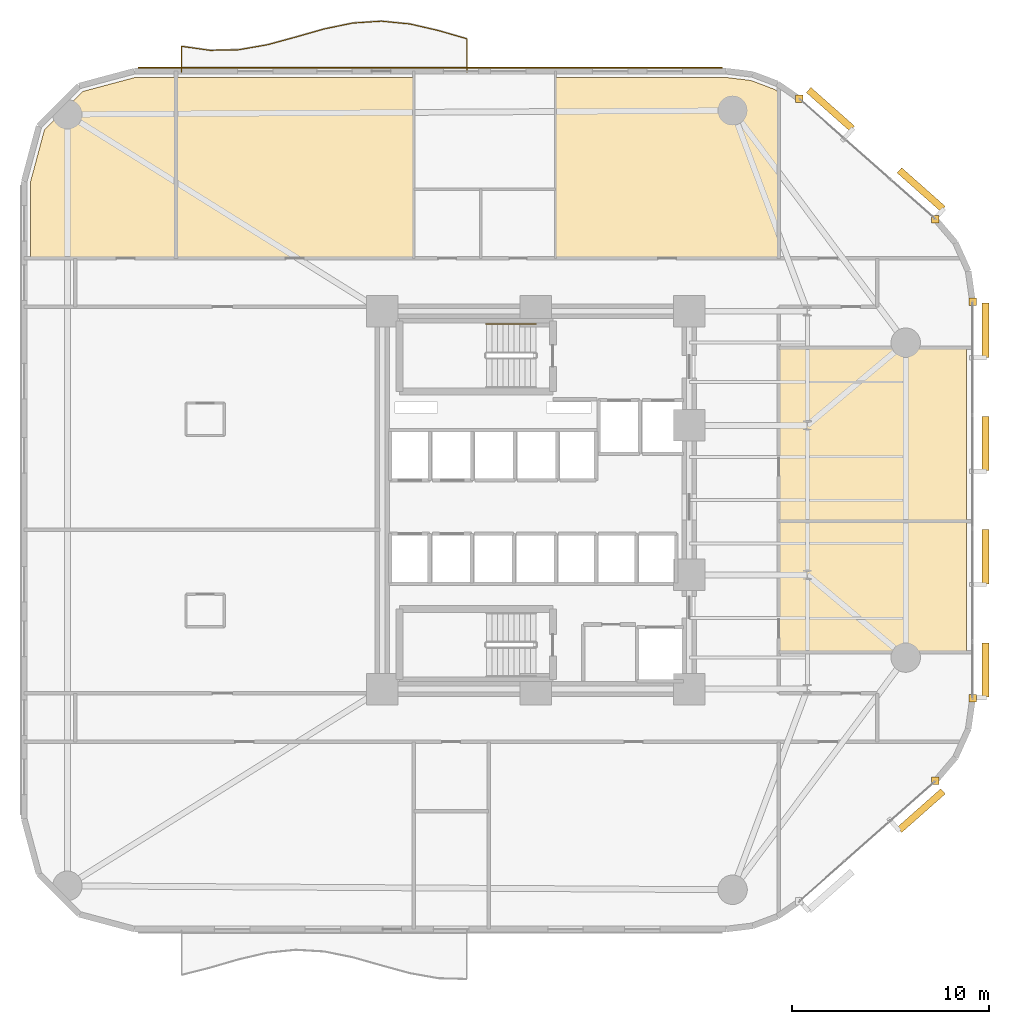
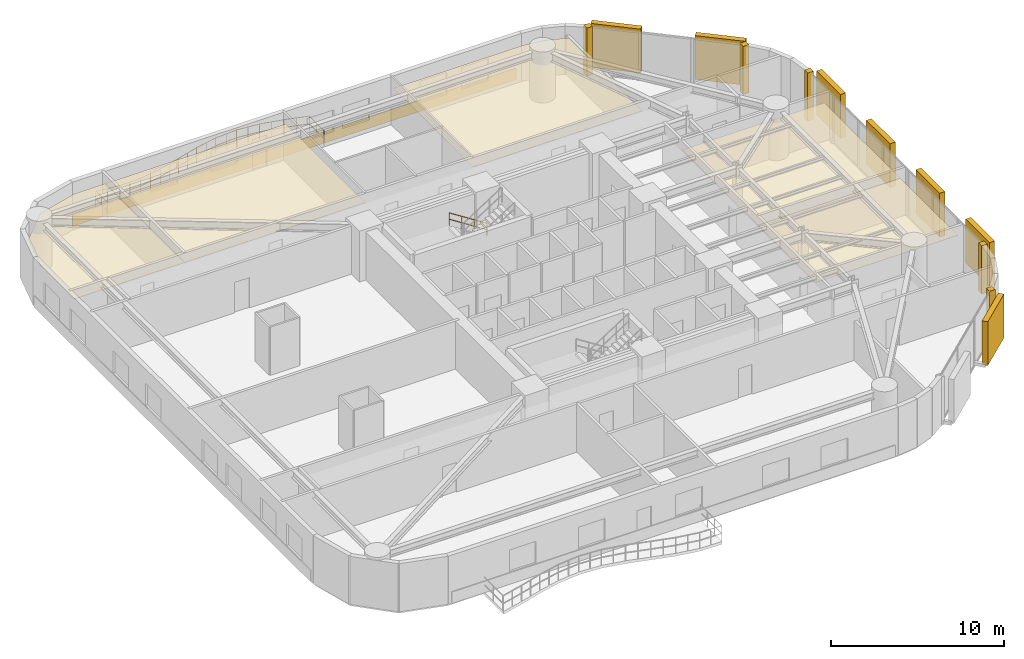
# One storey, part 16 of 16: 11 coverings, 7 shading devices, 2 railings.
"""IFC4 building model written with IfcOpenShell, lengths in metres."""

from ifc_helpers import new_model, si_unit, direction, frame, origin, origin_2d, place, context, subcontext, project, spatial, polyline, rectangle, circle, outline, extrude, material, layer, layer_set, type_object, element, save


model = new_model("IFC4")

# Units and contexts
model_context = context("Model", 3, precision=1e-05, world=origin(), true_north=direction((0.0, 1.0)))
body_context = subcontext(model_context, "Body", "Model", "MODEL_VIEW")
ifc_project = project(units=[si_unit("LENGTHUNIT", "METRE"), si_unit("AREAUNIT", "SQUARE_METRE"), si_unit("VOLUMEUNIT", "CUBIC_METRE"), si_unit("PLANEANGLEUNIT", "RADIAN"), si_unit("MASSUNIT", "GRAM", prefix="KILO")], contexts=[model_context])

# Site, building, storey
site_placement = place(None, origin())
site = spatial("IfcSite", under=ifc_project, at=site_placement, CompositionType="ELEMENT")
building_placement = place(site_placement, origin())
building = spatial("IfcBuilding", under=site, at=building_placement, Name="An Khanh Terracotta Commons", CompositionType="ELEMENT")
storey_placement = place(building_placement, frame((0.0, 0.0, 43.199951171875)))
storey = spatial("IfcBuildingStorey", under=building, at=storey_placement, Name="L11", CompositionType="ELEMENT", Elevation=43.199951171875)

# Coverings
ifc_material_1 = material(Name="Perforated Mineral-Fibre Acoustic Tile")
ifc_layer_1 = layer(ifc_material_1, 0.02001953125, Name="Perforated Mineral-Fibre Acoustic Tile")
ifc_layer_set_1 = layer_set([ifc_layer_1], Name="Perforated Mineral-Fibre Acoustic Tile")
covering_type_1 = type_object("IfcCoveringType", Name="CEIL-ACOUSTIC-18", PredefinedType="CEILING", material=ifc_layer_set_1)
covering_1_placement = place(storey_placement, frame((0.0, 0.0, 2.650146484375)))
element("IfcCovering", 1, at=covering_1_placement, inside=storey, type_object=covering_type_1, Name="L11 Collaborative Study Lounge Ceiling", PredefinedType="CEILING", context=body_context, shape_type="SweptSolid", body=[
    extrude(outline(polyline([(51.280029296875, 16.258056640625), (41.75, 16.258056640625), (41.75, 22.931884765625), (51.280029296875, 22.931884765625), (51.280029296875, 16.258056640625)])), origin(), (0.0, 0.0, 1.0), 0.02001953125),
])
covering_2_placement = place(storey_placement, frame((0.0, 0.0, 2.650146484375)))
element("IfcCovering", 2, at=covering_2_placement, inside=storey, type_object=covering_type_1, Name="L11 Collaborative Study Lounge Ceiling", PredefinedType="CEILING", context=body_context, shape_type="SweptSolid", body=[
    extrude(outline(polyline([(51.280029296875, 22.931884765625), (41.75, 22.931884765625), (41.75, 31.741943359375), (51.280029296875, 31.741943359375), (51.280029296875, 22.931884765625)])), origin(), (0.0, 0.0, 1.0), 0.02001953125),
])
covering_3_placement = place(storey_placement, frame((0.0, 0.0, 2.650146484375)))
element("IfcCovering", 3, at=covering_3_placement, inside=storey, type_object=covering_type_1, Name="L11 Collaborative Study Lounge Ceiling", PredefinedType="CEILING", context=body_context, shape_type="SweptSolid", body=[
    extrude(outline(polyline([(9.0419921875, 45.47998046875), (11.116943359375, 45.47998046875), (11.116943359375, 36.280029296875), (6.0, 36.280029296875), (3.719970703125, 36.280029296875), (3.719970703125, 40.157958984375), (4.43701171875, 42.833984375), (6.365966796875, 44.762939453125), (9.0419921875, 45.47998046875)])), origin(), (0.0, 0.0, 1.0), 0.02001953125),
])
covering_4_placement = place(storey_placement, frame((0.0, 0.0, 2.650146484375)))
element("IfcCovering", 4, at=covering_4_placement, inside=storey, type_object=covering_type_1, Name="L11 Collaborative Study Lounge Ceiling", PredefinedType="CEILING", context=body_context, shape_type="SweptSolid", body=[
    extrude(outline(polyline([(23.199951171875, 45.47998046875), (23.199951171875, 39.800048828125), (23.199951171875, 36.280029296875), (11.116943359375, 36.280029296875), (11.116943359375, 45.47998046875), (23.199951171875, 45.47998046875)])), origin(), (0.0, 0.0, 1.0), 0.02001953125),
])
covering_5_placement = place(storey_placement, frame((0.0, 0.0, 2.650146484375)))
element("IfcCovering", 5, at=covering_5_placement, inside=storey, type_object=covering_type_1, Name="L11 Collaborative Study Lounge Ceiling", PredefinedType="CEILING", context=body_context, shape_type="SweptSolid", body=[
    extrude(outline(polyline([(39.06005859375, 45.47998046875), (40.340087890625, 45.324951171875), (41.529052734375, 44.875), (41.75, 44.721923828125), (41.75, 36.280029296875), (37.5, 36.280029296875), (30.39990234375, 36.280029296875), (30.39990234375, 39.800048828125), (30.39990234375, 45.47998046875), (39.06005859375, 45.47998046875)])), origin(), (0.0, 0.0, 1.0), 0.02001953125),
])
ifc_material_2 = material(Name="Fired Terracotta Rainscreen Cladding", Category="masonry")
ifc_layer_2 = layer(ifc_material_2, 0.080078125, Name="Fired Terracotta Rainscreen Cladding")
ifc_layer_set_2 = layer_set([ifc_layer_2], Name="Fired Terracotta Rainscreen Cladding")
covering_type_2 = type_object("IfcCoveringType", Name="COV-JAMB-TERRA", PredefinedType="CLADDING", material=ifc_layer_set_2)
for number, where, z_axis, x_axis, name in (
    (6, (49.7099609375, 9.72802734375, 0.0), (0.0, 0.0, 1.0), (1.0, 0.0, 0.0), "L11 CW-02 Curtain-Wall Jamb Closure JB"),
    (7, (51.60009765625, 13.923095703125, 0.0), (0.0, 0.0, 1.0), (1.0, 0.0, 0.0), "L11 CW-02 Curtain-Wall Jamb Closure JA"),
    (8, (51.60009765625, 34.076904296875, 0.0), (0.0, 0.0, 1.0), (1.0, 0.0, 0.0), "L11 CW-02 Curtain-Wall Jamb Closure JB"),
    (9, (49.7099609375, 38.27197265625, 0.0), (0.0, 0.0, 1.0), (1.0, 0.0, 0.0), "L11 CW-02 Curtain-Wall Jamb Closure JA"),
    (10, (42.7890625, 44.39404296875, 0.0), (0.0, 0.0, 1.0), (1.0, 0.0, 0.0), "L11 CW-02 Curtain-Wall Jamb Closure JB"),
):
    element("IfcCovering", number, at=place(storey_placement, frame(where, z_axis=z_axis, x_axis=x_axis)), inside=storey, type_object=covering_type_2, Name=name, PredefinedType="CLADDING", context=body_context, shape_type="SweptSolid", body=[
        extrude(rectangle(XDim=0.3798828125, YDim=0.3798828125, at=origin_2d()), origin(), (0.0, 0.0, 1.0), 3.39990234375),
    ])
ifc_layer_3 = layer(ifc_material_2, 0.06005859375, Name="Fired Terracotta Rainscreen Cladding")
ifc_layer_set_3 = layer_set([ifc_layer_3], Name="Fired Terracotta Rainscreen Cladding")
covering_type_3 = type_object("IfcCoveringType", Name="COV-SPANDREL-TERRA", PredefinedType="CLADDING", material=ifc_layer_set_3)
covering_6_placement = place(storey_placement, frame((24.0400390625, 45.97998046875, 0.02001953125), z_axis=(0.0, 0.0, 1.0), x_axis=(-1.0, 0.0, 0.0)))
element("IfcCovering", 11, at=covering_6_placement, inside=storey, type_object=covering_type_3, Name="L11 Terracotta Spandrel Cladding 20", PredefinedType="CLADDING", context=body_context, shape_type="SweptSolid", body=[
    extrude(rectangle(XDim=29.678955078125, YDim=0.06005859375, at=origin_2d()), origin(), (0.0, 0.0, 1.0), 0.800048828125),
])

# Railings
ifc_material_3 = material(Name="Brushed Stainless Steel 316", Category="steel")
railing_type_1 = type_object("IfcRailingType", Name="RAIL-BALUSTRADE-1100", PredefinedType="BALUSTRADE", material=ifc_material_3)
railing_1_placement = place(storey_placement, frame((25.89990234375, 45.739990234375, 0.0)))
element("IfcRailing", 12, at=railing_1_placement, inside=storey, type_object=railing_type_1, Name="L11 N Wave Balcony Guard Balustrade", PredefinedType="BALUSTRADE", context=body_context, shape_type="SweptSolid", body=[
    extrude(circle(Radius=0.02392578125, at=origin_2d()), frame((0.0, 0.0, 1.076171875), z_axis=(0.0, 1.0, 0.0), x_axis=(-1.0, 0.0, 0.0)), (0.0, 0.0, 1.0), 1.7041015625),
    extrude(circle(Radius=0.02392578125, at=origin_2d()), frame((0.0, 0.0, 0.52587890625), z_axis=(0.0, 1.0, 0.0), x_axis=(-1.0, 0.0, 0.0)), (0.0, 0.0, 1.0), 1.7041015625),
    extrude(circle(Radius=0.02392578125, at=origin_2d()), frame((0.0, 1.7041015625, 1.076171875), z_axis=(-0.960701721664, 0.277582784034, 0.0), x_axis=(-0.277582784034, -0.960701721664, 0.0)), (0.0, 0.0, 1.0), 1.50927734375),
    extrude(circle(Radius=0.02392578125, at=origin_2d()), frame((0.0, 1.7041015625, 0.52587890625), z_axis=(-0.960701721664, 0.277582784034, 0.0), x_axis=(-0.277582784034, -0.960701721664, 0.0)), (0.0, 0.0, 1.0), 1.50927734375),
    extrude(circle(Radius=0.02392578125, at=origin_2d()), frame((-1.449951171875, 2.123046875, 1.076171875), z_axis=(-0.974482374478, 0.224464032377, 0.0), x_axis=(-0.224464032377, -0.974482374478, 0.0)), (0.0, 0.0, 1.0), 1.488037109375),
    extrude(circle(Radius=0.02392578125, at=origin_2d()), frame((-1.449951171875, 2.123046875, 0.52587890625), z_axis=(-0.974482374478, 0.224464032377, 0.0), x_axis=(-0.224464032377, -0.974482374478, 0.0)), (0.0, 0.0, 1.0), 1.488037109375),
    extrude(circle(Radius=0.02392578125, at=origin_2d()), frame((-2.89990234375, 2.45703125, 1.076171875), z_axis=(-0.995232672136, 0.097529115202, 0.0), x_axis=(-0.097529115202, -0.995232672136, 0.0)), (0.0, 0.0, 1.0), 1.456787109375),
    extrude(circle(Radius=0.02392578125, at=origin_2d()), frame((-2.89990234375, 2.45703125, 0.52587890625), z_axis=(-0.995232672136, 0.097529115202, 0.0), x_axis=(-0.097529115202, -0.995232672136, 0.0)), (0.0, 0.0, 1.0), 1.456787109375),
    extrude(circle(Radius=0.02392578125, at=origin_2d()), frame((-4.349853515625, 2.59912109375, 1.076171875), z_axis=(-0.997850830093, -0.065526489937, 0.0), x_axis=(0.065526489937, -0.997850830093, 0.0)), (0.0, 0.0, 1.0), 1.453125),
    extrude(circle(Radius=0.02392578125, at=origin_2d()), frame((-4.349853515625, 2.59912109375, 0.52587890625), z_axis=(-0.997850830093, -0.065526489937, 0.0), x_axis=(0.065526489937, -0.997850830093, 0.0)), (0.0, 0.0, 1.0), 1.453125),
    extrude(circle(Radius=0.02392578125, at=origin_2d()), frame((-5.7998046875, 2.50390625, 1.076171875), z_axis=(-0.979291989306, -0.202452956712, 0.0), x_axis=(0.202452956712, -0.979291989306, 0.0)), (0.0, 0.0, 1.0), 1.48095703125),
    extrude(circle(Radius=0.02392578125, at=origin_2d()), frame((-5.7998046875, 2.50390625, 0.52587890625), z_axis=(-0.979291989306, -0.202452956712, 0.0), x_axis=(0.202452956712, -0.979291989306, 0.0)), (0.0, 0.0, 1.0), 1.48095703125),
    extrude(circle(Radius=0.02392578125, at=origin_2d()), frame((-7.25, 2.2041015625, 1.076171875), z_axis=(-0.961731438212, -0.27399386992, 0.0), x_axis=(0.27399386992, -0.961731438212, 0.0)), (0.0, 0.0, 1.0), 1.507568359375),
    extrude(circle(Radius=0.02392578125, at=origin_2d()), frame((-7.25, 2.2041015625, 0.52587890625), z_axis=(-0.961731438212, -0.27399386992, 0.0), x_axis=(0.27399386992, -0.961731438212, 0.0)), (0.0, 0.0, 1.0), 1.507568359375),
    extrude(circle(Radius=0.02392578125, at=origin_2d()), frame((-8.699951171875, 1.791015625, 1.076171875), z_axis=(-0.964999660908, -0.262251128592, 0.0), x_axis=(0.262251128592, -0.964999660908, 0.0)), (0.0, 0.0, 1.0), 1.50244140625),
    extrude(circle(Radius=0.02392578125, at=origin_2d()), frame((-8.699951171875, 1.791015625, 0.52587890625), z_axis=(-0.964999660908, -0.262251128592, 0.0), x_axis=(0.262251128592, -0.964999660908, 0.0)), (0.0, 0.0, 1.0), 1.50244140625),
    extrude(circle(Radius=0.02392578125, at=origin_2d()), frame((-10.14990234375, 1.39697265625, 1.076171875), z_axis=(-0.985347824939, -0.170556922721, 0.0), x_axis=(0.170556922721, -0.985347824939, 0.0)), (0.0, 0.0, 1.0), 1.471435546875),
    extrude(circle(Radius=0.02392578125, at=origin_2d()), frame((-10.14990234375, 1.39697265625, 0.52587890625), z_axis=(-0.985347824939, -0.170556922721, 0.0), x_axis=(0.170556922721, -0.985347824939, 0.0)), (0.0, 0.0, 1.0), 1.471435546875),
    extrude(circle(Radius=0.02392578125, at=origin_2d()), frame((-11.599853515625, 1.14599609375, 1.076171875), z_axis=(-0.999799318874, -0.020033022217, 0.0), x_axis=(0.020033022217, -0.999799318874, 0.0)), (0.0, 0.0, 1.0), 1.4501953125),
    extrude(circle(Radius=0.02392578125, at=origin_2d()), frame((-11.599853515625, 1.14599609375, 0.52587890625), z_axis=(-0.999799318874, -0.020033022217, 0.0), x_axis=(0.020033022217, -0.999799318874, 0.0)), (0.0, 0.0, 1.0), 1.4501953125),
    extrude(circle(Radius=0.02392578125, at=origin_2d()), frame((-13.0498046875, 1.116943359375, 1.076171875), z_axis=(-0.990332587523, 0.138713251316, 0.0), x_axis=(-0.138713251316, -0.990332587523, 0.0)), (0.0, 0.0, 1.0), 1.46435546875),
    extrude(circle(Radius=0.02392578125, at=origin_2d()), frame((-13.0498046875, 1.116943359375, 0.52587890625), z_axis=(-0.990332587523, 0.138713251316, 0.0), x_axis=(-0.138713251316, -0.990332587523, 0.0)), (0.0, 0.0, 1.0), 1.46435546875),
    extrude(circle(Radius=0.02392578125, at=origin_2d()), frame((-14.5, 1.320068359375, 1.076171875), z_axis=(0.0, -1.0, 0.0), x_axis=(1.0, 0.0, 0.0)), (0.0, 0.0, 1.0), 1.320068359375),
    extrude(circle(Radius=0.02392578125, at=origin_2d()), frame((-14.5, 1.320068359375, 0.52587890625), z_axis=(0.0, -1.0, 0.0), x_axis=(1.0, 0.0, 0.0)), (0.0, 0.0, 1.0), 1.320068359375),
    extrude(circle(Radius=0.02099609375, at=origin_2d()), origin(), (0.0, 0.0, 1.0), 1.052001953125),
    extrude(circle(Radius=0.02099609375, at=origin_2d()), frame((0.0, 0.85205078125, 0.0)), (0.0, 0.0, 1.0), 1.052001953125),
    extrude(circle(Radius=0.02099609375, at=origin_2d()), frame((0.0, 1.7041015625, 0.0)), (0.0, 0.0, 1.0), 1.052001953125),
    extrude(circle(Radius=0.02099609375, at=origin_2d()), frame((-0.72509765625, 1.91357421875, 0.0)), (0.0, 0.0, 1.0), 1.052001953125),
    extrude(circle(Radius=0.02099609375, at=origin_2d()), frame((-1.449951171875, 2.123046875, 0.0)), (0.0, 0.0, 1.0), 1.052001953125),
    extrude(circle(Radius=0.02099609375, at=origin_2d()), frame((-2.1748046875, 2.2900390625, 0.0)), (0.0, 0.0, 1.0), 1.052001953125),
    extrude(circle(Radius=0.02099609375, at=origin_2d()), frame((-2.89990234375, 2.45703125, 0.0)), (0.0, 0.0, 1.0), 1.052001953125),
    extrude(circle(Radius=0.02099609375, at=origin_2d()), frame((-3.625, 2.528076171875, 0.0)), (0.0, 0.0, 1.0), 1.052001953125),
    extrude(circle(Radius=0.02099609375, at=origin_2d()), frame((-4.349853515625, 2.59912109375, 0.0)), (0.0, 0.0, 1.0), 1.052001953125),
    extrude(circle(Radius=0.02099609375, at=origin_2d()), frame((-5.07470703125, 2.551513671875, 0.0)), (0.0, 0.0, 1.0), 1.052001953125),
    extrude(circle(Radius=0.02099609375, at=origin_2d()), frame((-5.7998046875, 2.50390625, 0.0)), (0.0, 0.0, 1.0), 1.052001953125),
    extrude(circle(Radius=0.02099609375, at=origin_2d()), frame((-6.52490234375, 2.35400390625, 0.0)), (0.0, 0.0, 1.0), 1.052001953125),
    extrude(circle(Radius=0.02099609375, at=origin_2d()), frame((-7.25, 2.2041015625, 0.0)), (0.0, 0.0, 1.0), 1.052001953125),
    extrude(circle(Radius=0.02099609375, at=origin_2d()), frame((-7.97509765625, 1.99755859375, 0.0)), (0.0, 0.0, 1.0), 1.052001953125),
    extrude(circle(Radius=0.02099609375, at=origin_2d()), frame((-8.699951171875, 1.791015625, 0.0)), (0.0, 0.0, 1.0), 1.052001953125),
    extrude(circle(Radius=0.02099609375, at=origin_2d()), frame((-9.4248046875, 1.593994140625, 0.0)), (0.0, 0.0, 1.0), 1.052001953125),
    extrude(circle(Radius=0.02099609375, at=origin_2d()), frame((-10.14990234375, 1.39697265625, 0.0)), (0.0, 0.0, 1.0), 1.052001953125),
    extrude(circle(Radius=0.02099609375, at=origin_2d()), frame((-10.875, 1.271484375, 0.0)), (0.0, 0.0, 1.0), 1.052001953125),
    extrude(circle(Radius=0.02099609375, at=origin_2d()), frame((-11.599853515625, 1.14599609375, 0.0)), (0.0, 0.0, 1.0), 1.052001953125),
    extrude(circle(Radius=0.02099609375, at=origin_2d()), frame((-12.32470703125, 1.13134765625, 0.0)), (0.0, 0.0, 1.0), 1.052001953125),
    extrude(circle(Radius=0.02099609375, at=origin_2d()), frame((-13.0498046875, 1.116943359375, 0.0)), (0.0, 0.0, 1.0), 1.052001953125),
    extrude(circle(Radius=0.02099609375, at=origin_2d()), frame((-13.77490234375, 1.218505859375, 0.0)), (0.0, 0.0, 1.0), 1.052001953125),
    extrude(circle(Radius=0.02099609375, at=origin_2d()), frame((-14.5, 1.320068359375, 0.0)), (0.0, 0.0, 1.0), 1.052001953125),
    extrude(circle(Radius=0.02099609375, at=origin_2d()), frame((-14.5, 0.66015625, 0.0)), (0.0, 0.0, 1.0), 1.052001953125),
    extrude(circle(Radius=0.02099609375, at=origin_2d()), frame((-14.5, 0.0, 0.0)), (0.0, 0.0, 1.0), 1.052001953125),
])
railing_type_2 = type_object("IfcRailingType", Name="RAIL-HANDRAIL-900", PredefinedType="HANDRAIL", material=ifc_material_3)
railing_2_placement = place(storey_placement, frame((29.409912109375, 32.949951171875, 0.179931640625)))
element("IfcRailing", 13, at=railing_2_placement, inside=storey, type_object=railing_type_2, Name="L11 ST-01 stair handrail 1", PredefinedType="HANDRAIL", context=body_context, shape_type="SweptSolid", body=[
    extrude(circle(Radius=0.02392578125, at=origin_2d()), frame((0.0, 0.0, 0.8759765625), z_axis=(-0.841162588446, 0.0, 0.540782303519), x_axis=(0.0, -1.0, 0.0)), (0.0, 0.0, 1.0), 2.995849609375),
    extrude(circle(Radius=0.02392578125, at=origin_2d()), frame((0.0, 0.0, 0.42578125), z_axis=(-0.841162588446, 0.0, 0.540782303519), x_axis=(0.0, -1.0, 0.0)), (0.0, 0.0, 1.0), 2.995849609375),
    extrude(circle(Radius=0.02099609375, at=origin_2d()), origin(), (0.0, 0.0, 1.0), 0.851806640625),
    extrude(circle(Radius=0.02099609375, at=origin_2d()), frame((-0.840087890625, 0.0, 0.5400390625)), (0.0, 0.0, 1.0), 0.851806640625),
    extrude(circle(Radius=0.02099609375, at=origin_2d()), frame((-1.679931640625, 0.0, 1.080078125)), (0.0, 0.0, 1.0), 0.851806640625),
    extrude(circle(Radius=0.02099609375, at=origin_2d()), frame((-2.52001953125, 0.0, 1.6201171875)), (0.0, 0.0, 1.0), 0.851806640625),
])

# Shading devices
ifc_material_4 = material(Name="Extruded Fired Terracotta", Category="masonry")
shading_device_type = type_object("IfcShadingDeviceType", Name="Terracotta Baguette Screen Assembly", PredefinedType="USERDEFINED", material=ifc_material_4)
shading_device_placement = place(storey_placement, frame((48.987060546875, 8.220947265625, 0.14990234375), z_axis=(0.0, 0.0, 1.0), x_axis=(0.749019284633, 0.662548195415, 0.0)))
element("IfcShadingDevice", 14, at=shading_device_placement, inside=storey, type_object=shading_device_type, Name="L11 Terracotta Baguette Screen 3", ObjectType="BAGUETTE", PredefinedType="USERDEFINED", context=body_context, shape_type="SweptSolid", body=[
    extrude(rectangle(XDim=2.9599609375, YDim=0.35009765625, at=origin_2d()), origin(), (0.0, 0.0, 1.0), 3.10009765625),
])
for number, where, z_axis, x_axis, name in (
    (15, (52.25, 15.363037109375, 0.14990234375), (0.0, 0.0, 1.0), (0.0, 1.0, 0.0), "L11 Terracotta Baguette Screen 1"),
    (16, (52.25, 21.12109375, 0.14990234375), (0.0, 0.0, 1.0), (0.0, 1.0, 0.0), "L11 Terracotta Baguette Screen 3"),
    (17, (52.25, 26.87890625, 0.14990234375), (0.0, 0.0, 1.0), (0.0, 1.0, 0.0), "L11 Terracotta Baguette Screen 5"),
    (18, (52.25, 32.636962890625, 0.14990234375), (0.0, 0.0, 1.0), (0.0, 1.0, 0.0), "L11 Terracotta Baguette Screen 7"),
):
    element("IfcShadingDevice", number, at=place(storey_placement, frame(where, z_axis=z_axis, x_axis=x_axis)), inside=storey, type_object=shading_device_type, Name=name, ObjectType="BAGUETTE", PredefinedType="USERDEFINED", context=body_context, shape_type="SweptSolid", body=[
        extrude(rectangle(XDim=2.759033203125, YDim=0.35009765625, at=origin_2d()), origin(), (0.0, 0.0, 1.0), 3.10009765625),
    ])
for number, where, z_axis, x_axis, name in (
    (19, (48.987060546875, 39.779052734375, 0.14990234375), (0.0, 0.0, 1.0), (-0.749019284633, 0.662548195415, 0.0), "L11 Terracotta Baguette Screen 1"),
    (20, (44.373046875, 43.861083984375, 0.14990234375), (0.0, 0.0, 1.0), (-0.749019284633, 0.662548195415, 0.0), "L11 Terracotta Baguette Screen 3"),
):
    element("IfcShadingDevice", number, at=place(storey_placement, frame(where, z_axis=z_axis, x_axis=x_axis)), inside=storey, type_object=shading_device_type, Name=name, ObjectType="BAGUETTE", PredefinedType="USERDEFINED", context=body_context, shape_type="SweptSolid", body=[
        extrude(rectangle(XDim=2.9599609375, YDim=0.35009765625, at=origin_2d()), origin(), (0.0, 0.0, 1.0), 3.10009765625),
    ])

save(model, "model.ifc")
